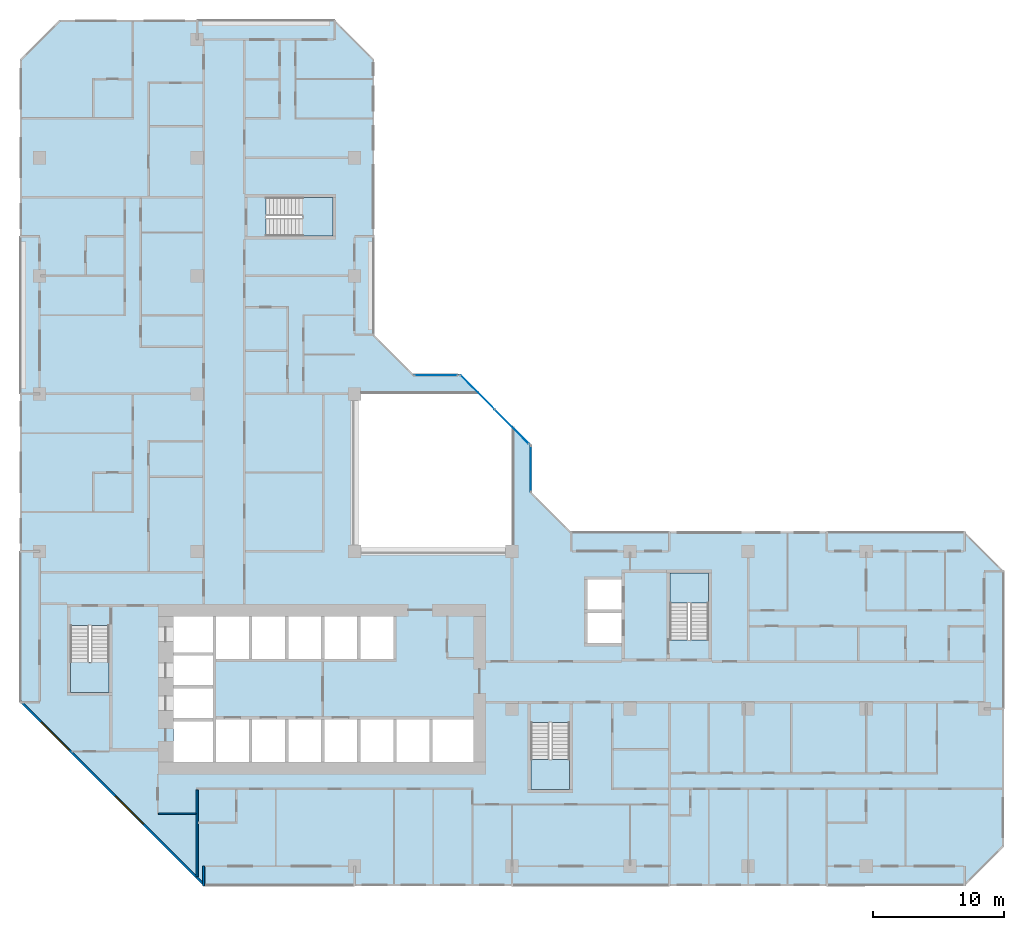
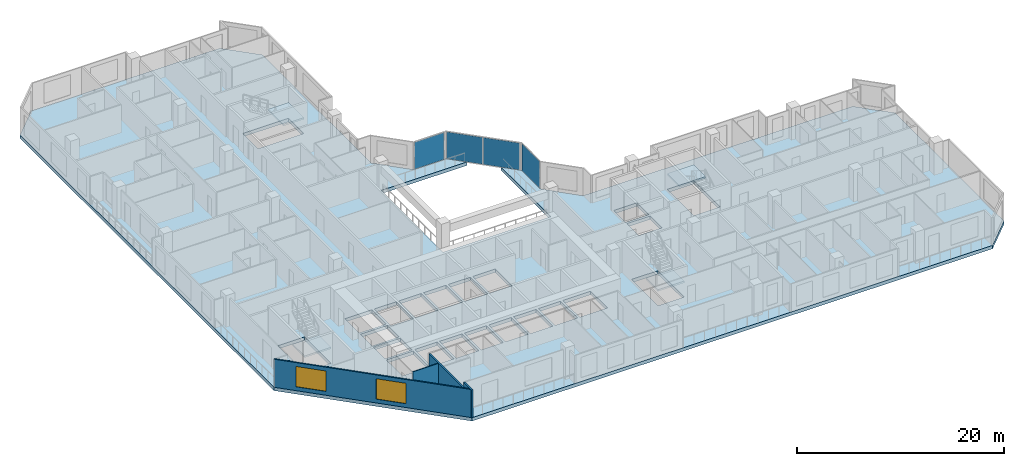
# One storey, part 3 of 15: 5 slabs, 4 plates, 4 walls, 2 windows, 2 openings, 7 elements without a shape of their own.
"""IFC4 building model written with IfcOpenShell, lengths in metres."""

from ifc_helpers import new_model, si_unit, direction, frame, frame_2d, origin, origin_2d, place, context, subcontext, project, spatial, polyline, rectangle, outline, extrude, material, layer, layer_set, type_object, element, fill, aggregate, save


model = new_model("IFC4")

# Units and contexts
model_context = context("Model", 3, precision=1e-05, world=origin(), true_north=direction((0.0, 1.0)))
body_context = subcontext(model_context, "Body", "Model", "MODEL_VIEW")
ifc_project = project(units=[si_unit("LENGTHUNIT", "METRE"), si_unit("AREAUNIT", "SQUARE_METRE"), si_unit("VOLUMEUNIT", "CUBIC_METRE"), si_unit("PLANEANGLEUNIT", "RADIAN"), si_unit("MASSUNIT", "GRAM", prefix="KILO")], contexts=[model_context])

# Site, building, storey
site_placement = place(None, origin())
site = spatial("IfcSite", under=ifc_project, at=site_placement, CompositionType="ELEMENT")
building_placement = place(site_placement, origin())
building = spatial("IfcBuilding", under=site, at=building_placement, Name="Chenar Terraces", CompositionType="ELEMENT")
storey_placement = place(building_placement, frame((0.0, 0.0, 136.89990234375)))
storey = spatial("IfcBuildingStorey", under=building, at=storey_placement, Name="L32", CompositionType="ELEMENT", Elevation=136.89990234375)

# Curtain wall, plate
ifc_material_1 = material(Name="Aluminium framed glazing", Category="aluminium")
ifc_layer_1 = layer(ifc_material_1, 0.14990234375)
ifc_layer_set_1 = layer_set([ifc_layer_1], Name="Aluminium framed glazing")
curtain_wall_type = type_object("IfcCurtainWallType", Name="Atrium curtain wall", PredefinedType="NOTDEFINED", material=ifc_layer_set_1)
placement_1 = place(storey_placement, origin())
curtain_wall_1 = element("IfcCurtainWall", 1, at=placement_1, inside=storey, type_object=curtain_wall_type, Name="Atrium curtain wall", PredefinedType="NOTDEFINED")
ifc_material_2 = material(Name="Low emissivity laminated glass, solar control coating", Category="glass")
ifc_layer_2 = layer(ifc_material_2, 0.028076171875)
ifc_layer_set_2 = layer_set([ifc_layer_2], Name="Low emissivity laminated glass, solar control coating")
plate_type = type_object("IfcPlateType", Name="Atrium glazing panel 28", PredefinedType="CURTAIN_PANEL", material=ifc_layer_set_2)
plate_1_placement = place(storey_placement, frame((37.425048828125, 30.300048828125, 0.06005859375), z_axis=(0.0, 0.0, 1.0), x_axis=(0.0, 1.0, 0.0)))
plate_1 = element("IfcPlate", 2, at=plate_1_placement, type_object=plate_type, Name="CW1-1 panel 1.1", PredefinedType="CURTAIN_PANEL", context=body_context, shape_type="SweptSolid", body=[
    extrude(rectangle(XDim=3.47998046875, YDim=0.028076171875, at=origin_2d()), origin(), (0.0, 0.0, 1.0), 3.179931640625),
])
aggregate(curtain_wall_1, [plate_1])

# Curtain wall, plates
curtain_wall_2 = element("IfcCurtainWall", 3, at=placement_1, inside=storey, type_object=curtain_wall_type, Name="Atrium curtain wall", PredefinedType="NOTDEFINED")
plate_2_placement = place(storey_placement, frame((35.980224609375, 33.513671875, 0.06005859375), z_axis=(0.0, 0.0, 1.0), x_axis=(-0.707106781187, 0.707106781187, 0.0)))
plate_2 = element("IfcPlate", 4, at=plate_2_placement, type_object=plate_type, Name="CW1-2 panel 1.1", PredefinedType="CURTAIN_PANEL", context=body_context, shape_type="SweptSolid", body=[
    extrude(rectangle(XDim=3.62841796875, YDim=0.028076171875, at=origin_2d()), origin(), (0.0, 0.0, 1.0), 3.179931640625),
])
plate_3_placement = place(storey_placement, frame((33.3720703125, 36.121826171875, 0.06005859375), z_axis=(0.0, 0.0, 1.0), x_axis=(-0.707106781187, 0.707106781187, 0.0)))
plate_3 = element("IfcPlate", 5, at=plate_3_placement, type_object=plate_type, Name="CW1-2 panel 2.1", PredefinedType="CURTAIN_PANEL", context=body_context, shape_type="SweptSolid", body=[
    extrude(rectangle(XDim=3.62841796875, YDim=0.028076171875, at=origin_2d()), origin(), (0.0, 0.0, 1.0), 3.179931640625),
])
aggregate(curtain_wall_2, [plate_2, plate_3])

# Curtain wall, plate
curtain_wall_3 = element("IfcCurtainWall", 6, at=placement_1, inside=storey, type_object=curtain_wall_type, Name="Atrium curtain wall", PredefinedType="NOTDEFINED")
plate_4_placement = place(storey_placement, frame((30.199951171875, 37.425048828125, 0.06005859375), z_axis=(0.0, 0.0, 1.0), x_axis=(-1.0, 0.0, 0.0)))
plate_4 = element("IfcPlate", 7, at=plate_4_placement, type_object=plate_type, Name="CW1-3 panel 1.1", PredefinedType="CURTAIN_PANEL", context=body_context, shape_type="SweptSolid", body=[
    extrude(rectangle(XDim=3.280029296875, YDim=0.028076171875, at=origin_2d()), origin(), (0.0, 0.0, 1.0), 3.179931640625),
])
aggregate(curtain_wall_3, [plate_4])

# Stair, slab
ifc_material_3 = material(Name="Reinforced concrete C40/50", Category="concrete")
stair_type = type_object("IfcStairType", Name="Core stair 1400 half-turn", PredefinedType="HALF_TURN_STAIR", material=ifc_material_3)
stair_1 = element("IfcStair", 8, at=placement_1, inside=storey, type_object=stair_type, Name="L32 Stair 1", PredefinedType="HALF_TURN_STAIR")
ifc_material_4 = material(Name="Reinforced concrete C40/50", Category="concrete")
ifc_layer_3 = layer(ifc_material_4, 0.199951171875)
ifc_layer_set_3 = layer_set([ifc_layer_3], Name="Reinforced concrete C40/50")
slab_type_1 = type_object("IfcSlabType", Name="Core stair landing 200", PredefinedType="LANDING", material=ifc_layer_set_3)
placement_2 = place(storey_placement, frame((0.0, 0.0, 1.675048828125)))
slab_1 = element("IfcSlab", 9, at=placement_2, type_object=slab_type_1, Name="ST1 landing 1", PredefinedType="LANDING", context=body_context, shape_type="SweptSolid", body=[
    extrude(outline(polyline([(2.35009765625, 15.550048828125), (2.35009765625, 13.25), (5.300048828125, 13.25), (5.300048828125, 15.550048828125), (2.35009765625, 15.550048828125)])), origin(), (0.0, 0.0, 1.0), 0.199951171875),
])
aggregate(stair_1, [slab_1])

stair_2 = element("IfcStair", 10, at=placement_1, inside=storey, type_object=stair_type, Name="L32 Stair 2", PredefinedType="HALF_TURN_STAIR")
slab_2 = element("IfcSlab", 11, at=placement_2, type_object=slab_type_1, Name="ST2 landing 1", PredefinedType="LANDING", context=body_context, shape_type="SweptSolid", body=[
    extrude(outline(polyline([(37.449951171875, 8.14990234375), (37.449951171875, 5.85009765625), (40.39990234375, 5.85009765625), (40.39990234375, 8.14990234375), (37.449951171875, 8.14990234375)])), origin(), (0.0, 0.0, 1.0), 0.199951171875),
])
aggregate(stair_2, [slab_2])

stair_3 = element("IfcStair", 12, at=placement_1, inside=storey, type_object=stair_type, Name="L32 Stair 3", PredefinedType="HALF_TURN_STAIR")
slab_3 = element("IfcSlab", 13, at=placement_2, type_object=slab_type_1, Name="ST3 landing 1", PredefinedType="LANDING", context=body_context, shape_type="SweptSolid", body=[
    extrude(outline(polyline([(50.97509765625, 20.050048828125), (50.97509765625, 22.35009765625), (48.02490234375, 22.35009765625), (48.02490234375, 20.050048828125), (50.97509765625, 20.050048828125)])), origin(), (0.0, 0.0, 1.0), 0.199951171875),
])
aggregate(stair_3, [slab_3])

stair_4 = element("IfcStair", 14, at=placement_1, inside=storey, type_object=stair_type, Name="L32 Stair 4", PredefinedType="HALF_TURN_STAIR")
slab_4 = element("IfcSlab", 15, at=placement_2, type_object=slab_type_1, Name="ST4 landing 1", PredefinedType="LANDING", context=body_context, shape_type="SweptSolid", body=[
    extrude(outline(polyline([(20.050048828125, 48.02490234375), (22.35009765625, 48.02490234375), (22.35009765625, 50.97509765625), (20.050048828125, 50.97509765625), (20.050048828125, 48.02490234375)])), origin(), (0.0, 0.0, 1.0), 0.199951171875),
])
aggregate(stair_4, [slab_4])

# Slab
ifc_material_5 = material(Name="Concrete C40/50", Category="concrete")
ifc_layer_4 = layer(ifc_material_5, 0.39990234375)
ifc_layer_set_4 = layer_set([ifc_layer_4], Name="Concrete C40/50")
slab_type_2 = type_object("IfcSlabType", Name="Floor slab 400 Concrete C40/50", PredefinedType="FLOOR", material=ifc_layer_set_4)
slab_5_placement = place(storey_placement, frame((0.0, 0.0, -0.39990234375)))
element("IfcSlab", 16, at=slab_5_placement, inside=storey, type_object=slab_type_2, Name="Floor slab L32", PredefinedType="FLOOR", context=body_context, shape_type="SweptSolid", body=[
    extrude(outline(polyline([(73.5, 22.5), (73.5, 1.5), (70.5, -1.5), (12.5, -1.5), (-1.5, 12.5), (-1.5, 61.5), (1.5, 64.5), (22.5, 64.5), (25.5, 61.5), (25.5, 40.5), (28.5, 37.5), (32.10009765625, 37.5), (33.60009765625, 36.0), (24.0, 36.0), (24.0, 24.0), (36.0, 24.0), (36.0, 33.60009765625), (37.5, 32.10009765625), (37.5, 28.5), (40.5, 25.5), (70.5, 25.5), (73.5, 22.5)]), holes=[polyline([(13.199951171875, 11.050048828125), (10.199951171875, 11.050048828125), (10.199951171875, 7.949951171875), (13.199951171875, 7.949951171875), (13.199951171875, 11.050048828125)]), polyline([(15.949951171875, 11.199951171875), (13.449951171875, 11.199951171875), (13.449951171875, 7.949951171875), (15.949951171875, 7.949951171875), (15.949951171875, 11.199951171875)]), polyline([(18.699951171875, 11.199951171875), (16.199951171875, 11.199951171875), (16.199951171875, 7.949951171875), (18.699951171875, 7.949951171875), (18.699951171875, 11.199951171875)]), polyline([(21.449951171875, 7.949951171875), (21.449951171875, 11.199951171875), (18.949951171875, 11.199951171875), (18.949951171875, 7.949951171875), (21.449951171875, 7.949951171875)]), polyline([(13.199951171875, 11.300048828125), (13.199951171875, 13.550048828125), (10.199951171875, 13.550048828125), (10.199951171875, 11.300048828125), (13.199951171875, 11.300048828125)]), polyline([(13.199951171875, 16.050048828125), (10.199951171875, 16.050048828125), (10.199951171875, 13.800048828125), (13.199951171875, 13.800048828125), (13.199951171875, 16.050048828125)]), polyline([(2.35009765625, 18.35009765625), (2.35009765625, 13.25), (5.300048828125, 13.25), (5.300048828125, 18.35009765625), (2.35009765625, 18.35009765625)]), polyline([(15.949951171875, 15.800048828125), (15.949951171875, 19.050048828125), (13.449951171875, 19.050048828125), (13.449951171875, 15.800048828125), (15.949951171875, 15.800048828125)]), polyline([(18.699951171875, 19.050048828125), (16.199951171875, 19.050048828125), (16.199951171875, 15.800048828125), (18.699951171875, 15.800048828125), (18.699951171875, 19.050048828125)]), polyline([(21.449951171875, 15.800048828125), (21.449951171875, 19.050048828125), (18.949951171875, 19.050048828125), (18.949951171875, 15.800048828125), (21.449951171875, 15.800048828125)]), polyline([(13.199951171875, 16.300048828125), (13.199951171875, 19.050048828125), (10.199951171875, 19.050048828125), (10.199951171875, 16.300048828125), (13.199951171875, 16.300048828125)]), polyline([(22.35009765625, 48.02490234375), (22.35009765625, 50.97509765625), (17.25, 50.97509765625), (17.25, 48.02490234375), (22.35009765625, 48.02490234375)]), polyline([(37.449951171875, 10.949951171875), (37.449951171875, 5.85009765625), (40.39990234375, 5.85009765625), (40.39990234375, 10.949951171875), (37.449951171875, 10.949951171875)]), polyline([(24.199951171875, 7.949951171875), (24.199951171875, 11.199951171875), (21.699951171875, 11.199951171875), (21.699951171875, 7.949951171875), (24.199951171875, 7.949951171875)]), polyline([(26.949951171875, 11.199951171875), (24.449951171875, 11.199951171875), (24.449951171875, 7.949951171875), (26.949951171875, 7.949951171875), (26.949951171875, 11.199951171875)]), polyline([(29.699951171875, 7.949951171875), (29.699951171875, 11.199951171875), (27.199951171875, 11.199951171875), (27.199951171875, 7.949951171875), (29.699951171875, 7.949951171875)]), polyline([(33.050048828125, 7.949951171875), (33.050048828125, 11.199951171875), (29.949951171875, 11.199951171875), (29.949951171875, 7.949951171875), (33.050048828125, 7.949951171875)]), polyline([(24.199951171875, 19.050048828125), (21.699951171875, 19.050048828125), (21.699951171875, 15.800048828125), (24.199951171875, 15.800048828125), (24.199951171875, 19.050048828125)]), polyline([(26.949951171875, 15.800048828125), (26.949951171875, 19.050048828125), (24.449951171875, 19.050048828125), (24.449951171875, 15.800048828125), (26.949951171875, 15.800048828125)]), polyline([(44.35009765625, 17.0), (44.35009765625, 19.300048828125), (41.75, 19.300048828125), (41.75, 17.0), (44.35009765625, 17.0)]), polyline([(50.97509765625, 22.35009765625), (48.02490234375, 22.35009765625), (48.02490234375, 17.25), (50.97509765625, 17.25), (50.97509765625, 22.35009765625)]), polyline([(44.35009765625, 19.550048828125), (44.35009765625, 21.85009765625), (41.75, 21.85009765625), (41.75, 19.550048828125), (44.35009765625, 19.550048828125)])]), origin(), (0.0, 0.0, 1.0), 0.39990234375),
])

# Walls
ifc_material_6 = material(Name="Gypsum board on steel studs", Category="steel")
ifc_layer_5 = layer(ifc_material_6, 0.10009765625)
ifc_layer_set_5 = layer_set([ifc_layer_5], Name="Gypsum board on steel studs")
wall_type_1 = type_object("IfcWallType", Name="Gypsum partition 100", PredefinedType="PARTITIONING", material=ifc_layer_set_5)
wall_1_placement = place(storey_placement, frame((9.050048828125, 4.0, 0.0), z_axis=(0.0, 0.0, 1.0), x_axis=(1.0, 0.0, 0.0)))
element("IfcWall", 17, at=wall_1_placement, inside=storey, type_object=wall_type_1, Name="Partition L32-031", PredefinedType="PARTITIONING", context=body_context, shape_type="SweptSolid", body=[
    extrude(rectangle(XDim=2.875, YDim=0.10009765625, at=frame_2d((1.4375, 0.0))), origin(), (0.0, 0.0, 1.0), 3.300048828125),
])
ifc_material_7 = material(Name="Terracotta cladding on insulated backing", Category="masonry")
ifc_layer_6 = layer(ifc_material_7, 0.14990234375)
ifc_layer_set_6 = layer_set([ifc_layer_6], Name="Terracotta cladding on insulated backing")
wall_type_2 = type_object("IfcWallType", Name="Loggia return wall 150", PredefinedType="SOLIDWALL", material=ifc_layer_set_6)
wall_2_placement = place(storey_placement, frame((12.5, -1.5, 0.0), z_axis=(0.0, 0.0, 1.0), x_axis=(0.0, 1.0, 0.0)))
element("IfcWall", 18, at=wall_2_placement, inside=storey, type_object=wall_type_2, Name="Loggia return wall", PredefinedType="SOLIDWALL", context=body_context, shape_type="SweptSolid", body=[
    extrude(rectangle(XDim=1.5, YDim=0.14990234375, at=frame_2d((0.75, 0.0))), origin(), (0.0, 0.0, 1.0), 3.300048828125),
])

# Wall, openings, windows
ifc_material_8 = material(Name="Terracotta cladding on insulated backing", Category="masonry")
ifc_layer_7 = layer(ifc_material_8, 0.14990234375)
ifc_layer_set_7 = layer_set([ifc_layer_7], Name="Terracotta cladding on insulated backing")
wall_type_3 = type_object("IfcWallType", Name="Terracotta rainscreen wall 150", PredefinedType="SOLIDWALL", material=ifc_layer_set_7)
wall_3_placement = place(storey_placement, frame((-1.447021484375, 12.552978515625, 0.0), z_axis=(0.0, 0.0, 1.0), x_axis=(0.707106781187, -0.707106781187, 0.0)))
wall_3 = element("IfcWall", 19, at=wall_3_placement, inside=storey, type_object=wall_type_3, Name="Terracotta rainscreen wall", PredefinedType="SOLIDWALL", context=body_context, shape_type="SweptSolid", body=[
    extrude(rectangle(XDim=19.799072265625, YDim=0.14990234375, at=frame_2d((9.8994140625, 0.0))), origin(), (0.0, 0.0, 1.0), 3.300048828125),
])
opening_1_placement = place(wall_3_placement, frame((2.21240234375, 0.0, 0.449951171875)))
opening_1 = element("IfcOpeningElement", 20, at=opening_1_placement, cuts=wall_3, Name="Opening W300x240", PredefinedType="OPENING", context=body_context, shape_type="SweptSolid", body=[
    extrude(rectangle(XDim=3.0, YDim=2.39990234375, at=frame_2d((1.5, 1.199951171875))), frame((0.0, 0.0849609375, 0.0), z_axis=(0.0, -1.0, 0.0), x_axis=(1.0, 0.0, 0.0)), (0.0, 0.0, 1.0), 0.169921875),
])
opening_2_placement = place(wall_3_placement, frame((10.215576171875, 0.0, 0.449951171875)))
opening_2 = element("IfcOpeningElement", 21, at=opening_2_placement, cuts=wall_3, Name="Opening W300x240", PredefinedType="OPENING", context=body_context, shape_type="SweptSolid", body=[
    extrude(rectangle(XDim=3.0, YDim=2.39990234375, at=frame_2d((1.5, 1.199951171875))), frame((0.0, 0.0849609375, 0.0), z_axis=(0.0, -1.0, 0.0), x_axis=(1.0, 0.0, 0.0)), (0.0, 0.0, 1.0), 0.169921875),
])
ifc_material_9 = material(Name="Low emissivity double glazing, aluminium frame", Category="aluminium")
window_type = type_object("IfcWindowType", Name="Fixed light 3000 x 2400", PartitioningType="SINGLE_PANEL", PredefinedType="WINDOW", material=ifc_material_9)
window_1_placement = place(opening_1_placement, origin())
window_1 = element("IfcWindow", 22, at=window_1_placement, inside=storey, type_object=window_type, Name="Window", OverallHeight=2.39990234375, OverallWidth=3.0, PartitioningType="SINGLE_PANEL", PredefinedType="WINDOW", context=body_context, shape_type="SweptSolid", body=[
    extrude(rectangle(XDim=3.0, YDim=2.39990234375, at=frame_2d((1.5, 1.199951171875))), frame((0.0, 0.030029296875, 0.0), z_axis=(0.0, -1.0, 0.0), x_axis=(1.0, 0.0, 0.0)), (0.0, 0.0, 1.0), 0.06005859375),
])
fill(opening_1, window_1)
window_2_placement = place(opening_2_placement, origin())
window_2 = element("IfcWindow", 23, at=window_2_placement, inside=storey, type_object=window_type, Name="Window", OverallHeight=2.39990234375, OverallWidth=3.0, PartitioningType="SINGLE_PANEL", PredefinedType="WINDOW", context=body_context, shape_type="SweptSolid", body=[
    extrude(rectangle(XDim=3.0, YDim=2.39990234375, at=frame_2d((1.5, 1.199951171875))), frame((0.0, 0.030029296875, 0.0), z_axis=(0.0, -1.0, 0.0), x_axis=(1.0, 0.0, 0.0)), (0.0, 0.0, 1.0), 0.06005859375),
])
fill(opening_2, window_2)

# Wall
ifc_material_10 = material(Name="Moisture-resistant gypsum board on steel studs", Category="steel")
ifc_layer_8 = layer(ifc_material_10, 0.14990234375)
ifc_layer_set_8 = layer_set([ifc_layer_8], Name="Moisture-resistant gypsum board on steel studs")
wall_type_4 = type_object("IfcWallType", Name="Wet-room partition 150", PredefinedType="PARTITIONING", material=ifc_layer_set_8)
wall_4_placement = place(storey_placement, frame((12.0, -0.787841796875, 0.0), z_axis=(0.0, 0.0, 1.0), x_axis=(0.0, 1.0, 0.0)))
element("IfcWall", 24, at=wall_4_placement, inside=storey, type_object=wall_type_4, Name="Partition L32-033", PredefinedType="PARTITIONING", context=body_context, shape_type="SweptSolid", body=[
    extrude(rectangle(XDim=6.61279296875, YDim=0.14990234375, at=frame_2d((3.306396484375, 0.0))), origin(), (0.0, 0.0, 1.0), 3.300048828125),
])

save(model, "model.ifc")
